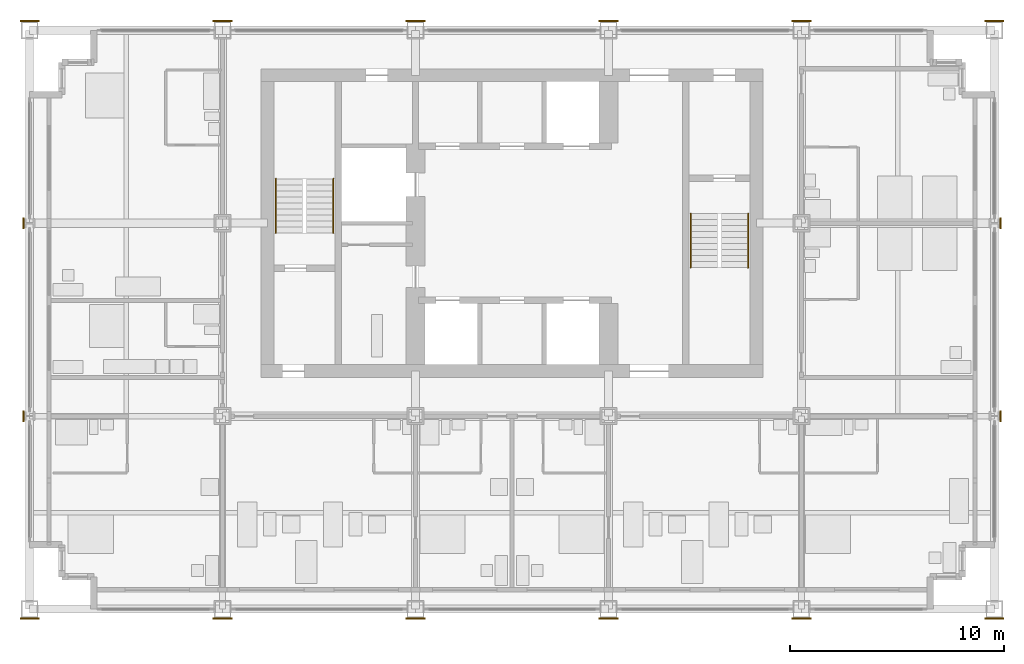
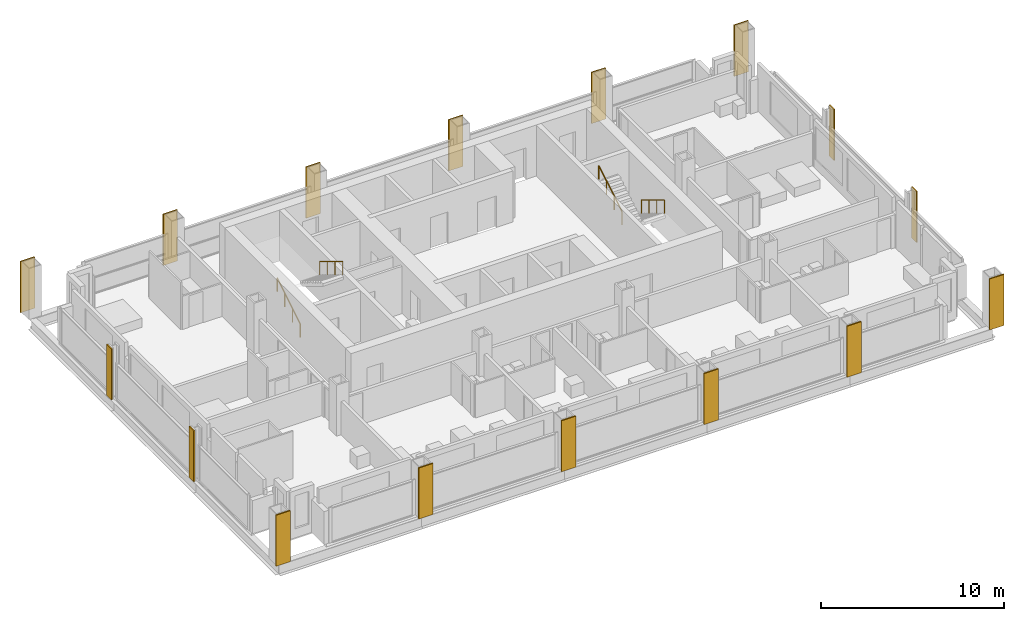
# One storey, part 11 of 13: 16 coverings, 4 railings.
"""IFC4 building model written with IfcOpenShell, lengths in metres."""

from ifc_helpers import new_model, si_unit, direction, frame, origin, origin_2d, place, context, subcontext, project, spatial, rectangle, circle, extrude, material, layer, layer_set, type_object, element, save


model = new_model("IFC4")

# Units and contexts
model_context = context("Model", 3, precision=1e-05, world=origin(), true_north=direction((0.0, 1.0)))
body_context = subcontext(model_context, "Body", "Model", "MODEL_VIEW")
ifc_project = project(units=[si_unit("LENGTHUNIT", "METRE"), si_unit("AREAUNIT", "SQUARE_METRE"), si_unit("VOLUMEUNIT", "CUBIC_METRE"), si_unit("PLANEANGLEUNIT", "RADIAN"), si_unit("MASSUNIT", "GRAM", prefix="KILO")], contexts=[model_context])

# Site, building, storey
site_placement = place(None, origin())
site = spatial("IfcSite", under=ifc_project, at=site_placement, CompositionType="ELEMENT")
building_placement = place(site_placement, origin())
building = spatial("IfcBuilding", under=site, at=building_placement, Name="Loomwork Tower", CompositionType="ELEMENT")
storey_placement = place(building_placement, frame((0.0, 0.0, 218.199951171875)))
storey = spatial("IfcBuildingStorey", under=building, at=storey_placement, Name="L60", CompositionType="ELEMENT", Elevation=218.199951171875)

# Railings
ifc_material_1 = material(Name="Stainless steel handrail", Category="steel")
railing_type = type_object("IfcRailingType", Name="Handrail 900", PredefinedType="HANDRAIL", material=ifc_material_1)
railing_1_placement = place(storey_placement, frame((11.485107421875, 17.550048828125, 0.170166015625)))
element("IfcRailing", 1, at=railing_1_placement, inside=storey, type_object=railing_type, Name="Stair A handrail flight 1 L60", PredefinedType="HANDRAIL", context=body_context, shape_type="SweptSolid", body=[
    extrude(circle(Radius=0.02392578125, at=origin_2d()), frame((0.0, 0.0, 0.8759765625), z_axis=(0.0, 0.854821627497, 0.518921945155), x_axis=(-1.0, 0.0, 0.0)), (0.0, 0.0, 1.0), 2.947998046875),
    extrude(circle(Radius=0.02099609375, at=origin_2d()), origin(), (0.0, 0.0, 1.0), 0.851806640625),
    extrude(circle(Radius=0.02099609375, at=origin_2d()), frame((0.0, 0.840087890625, 0.510009765625)), (0.0, 0.0, 1.0), 0.851806640625),
    extrude(circle(Radius=0.02099609375, at=origin_2d()), frame((0.0, 1.679931640625, 1.019775390625)), (0.0, 0.0, 1.0), 0.851806640625),
    extrude(circle(Radius=0.02099609375, at=origin_2d()), frame((0.0, 2.52001953125, 1.52978515625)), (0.0, 0.0, 1.0), 0.851806640625),
])
railing_2_placement = place(storey_placement, frame((14.1650390625, 20.070068359375, 1.8701171875)))
element("IfcRailing", 2, at=railing_2_placement, inside=storey, type_object=railing_type, Name="Stair A handrail flight 2 L60", PredefinedType="HANDRAIL", context=body_context, shape_type="SweptSolid", body=[
    extrude(circle(Radius=0.02392578125, at=origin_2d()), frame((0.0, 0.0, 0.8759765625), z_axis=(0.0, -0.85478489116, 0.518982456201), x_axis=(1.0, 0.0, 0.0)), (0.0, 0.0, 1.0), 2.9482421875),
    extrude(circle(Radius=0.02099609375, at=origin_2d()), origin(), (0.0, 0.0, 1.0), 0.851806640625),
    extrude(circle(Radius=0.02099609375, at=origin_2d()), frame((0.0, -0.840087890625, 0.510009765625)), (0.0, 0.0, 1.0), 0.851806640625),
    extrude(circle(Radius=0.02099609375, at=origin_2d()), frame((0.0, -1.679931640625, 1.02001953125)), (0.0, 0.0, 1.0), 0.851806640625),
    extrude(circle(Radius=0.02099609375, at=origin_2d()), frame((0.0, -2.52001953125, 1.530029296875)), (0.0, 0.0, 1.0), 0.851806640625),
])
railing_3_placement = place(storey_placement, frame((33.514892578125, 18.449951171875, 0.170166015625)))
element("IfcRailing", 3, at=railing_3_placement, inside=storey, type_object=railing_type, Name="Stair B handrail flight 1 L60", PredefinedType="HANDRAIL", context=body_context, shape_type="SweptSolid", body=[
    extrude(circle(Radius=0.02392578125, at=origin_2d()), frame((0.0, 0.0, 0.8759765625), z_axis=(0.0, -0.854821627497, 0.518921945155), x_axis=(1.0, 0.0, 0.0)), (0.0, 0.0, 1.0), 2.947998046875),
    extrude(circle(Radius=0.02099609375, at=origin_2d()), origin(), (0.0, 0.0, 1.0), 0.851806640625),
    extrude(circle(Radius=0.02099609375, at=origin_2d()), frame((0.0, -0.840087890625, 0.510009765625)), (0.0, 0.0, 1.0), 0.851806640625),
    extrude(circle(Radius=0.02099609375, at=origin_2d()), frame((0.0, -1.679931640625, 1.019775390625)), (0.0, 0.0, 1.0), 0.851806640625),
    extrude(circle(Radius=0.02099609375, at=origin_2d()), frame((0.0, -2.52001953125, 1.52978515625)), (0.0, 0.0, 1.0), 0.851806640625),
])
railing_4_placement = place(storey_placement, frame((30.8349609375, 15.929931640625, 1.8701171875)))
element("IfcRailing", 4, at=railing_4_placement, inside=storey, type_object=railing_type, Name="Stair B handrail flight 2 L60", PredefinedType="HANDRAIL", context=body_context, shape_type="SweptSolid", body=[
    extrude(circle(Radius=0.02392578125, at=origin_2d()), frame((0.0, 0.0, 0.8759765625), z_axis=(0.0, 0.85478489116, 0.518982456201), x_axis=(-1.0, 0.0, 0.0)), (0.0, 0.0, 1.0), 2.9482421875),
    extrude(circle(Radius=0.02099609375, at=origin_2d()), origin(), (0.0, 0.0, 1.0), 0.851806640625),
    extrude(circle(Radius=0.02099609375, at=origin_2d()), frame((0.0, 0.840087890625, 0.510009765625)), (0.0, 0.0, 1.0), 0.851806640625),
    extrude(circle(Radius=0.02099609375, at=origin_2d()), frame((0.0, 1.679931640625, 1.02001953125)), (0.0, 0.0, 1.0), 0.851806640625),
    extrude(circle(Radius=0.02099609375, at=origin_2d()), frame((0.0, 2.52001953125, 1.530029296875)), (0.0, 0.0, 1.0), 0.851806640625),
])

# Coverings
ifc_material_2 = material(Name="Limestone", Category="masonry")
ifc_layer = layer(ifc_material_2, 0.080078125)
ifc_layer_set = layer_set([ifc_layer], Name="Limestone pier facing 80")
covering_type = type_object("IfcCoveringType", Name="Limestone pier facing 80", PredefinedType="CLADDING", material=ifc_layer_set)
covering_1_placement = place(storey_placement, frame((0.0, -0.43994140625, 0.0), z_axis=(0.0, 0.0, 1.0), x_axis=(1.0, 0.0, 0.0)))
element("IfcCovering", 5, at=covering_1_placement, inside=storey, type_object=covering_type, Name="Pier facing D/2 L60", PredefinedType="CLADDING", context=body_context, shape_type="SweptSolid", body=[
    extrude(rectangle(XDim=0.89990234375, YDim=0.080078125, at=origin_2d()), origin(), (0.0, 0.0, 1.0), 3.39990234375),
])
for number, where, z_axis, x_axis, name in (
    (6, (-0.28125, 9.0, 0.0), (0.0, 0.0, 1.0), (1.0, 0.0, 0.0), "Pier facing E/2 L60"),
    (7, (-0.28125, 18.0, 0.0), (0.0, 0.0, 1.0), (1.0, 0.0, 0.0), "Pier facing F/2 L60"),
):
    element("IfcCovering", number, at=place(storey_placement, frame(where, z_axis=z_axis, x_axis=x_axis)), inside=storey, type_object=covering_type, Name=name, PredefinedType="CLADDING", context=body_context, shape_type="SweptSolid", body=[
        extrude(rectangle(XDim=0.080078125, YDim=0.526611328125, at=origin_2d()), origin(), (0.0, 0.0, 1.0), 3.39990234375),
    ])
for number, where, z_axis, x_axis, name in (
    (8, (0.0, 27.43994140625, 0.0), (0.0, 0.0, 1.0), (1.0, 0.0, 0.0), "Pier facing G/2 L60"),
    (9, (9.0, -0.43994140625, 0.0), (0.0, 0.0, 1.0), (1.0, 0.0, 0.0), "Pier facing D/3 L60"),
    (10, (9.0, 27.43994140625, 0.0), (0.0, 0.0, 1.0), (1.0, 0.0, 0.0), "Pier facing G/3 L60"),
    (11, (18.0, -0.43994140625, 0.0), (0.0, 0.0, 1.0), (1.0, 0.0, 0.0), "Pier facing D/4 L60"),
    (12, (18.0, 27.43994140625, 0.0), (0.0, 0.0, 1.0), (1.0, 0.0, 0.0), "Pier facing G/4 L60"),
    (13, (27.0, -0.43994140625, 0.0), (0.0, 0.0, 1.0), (1.0, 0.0, 0.0), "Pier facing D/5 L60"),
    (14, (27.0, 27.43994140625, 0.0), (0.0, 0.0, 1.0), (1.0, 0.0, 0.0), "Pier facing G/5 L60"),
    (15, (36.0, -0.43994140625, 0.0), (0.0, 0.0, 1.0), (1.0, 0.0, 0.0), "Pier facing D/6 L60"),
    (16, (36.0, 27.43994140625, 0.0), (0.0, 0.0, 1.0), (1.0, 0.0, 0.0), "Pier facing G/6 L60"),
    (17, (45.0, -0.43994140625, 0.0), (0.0, 0.0, 1.0), (1.0, 0.0, 0.0), "Pier facing D/7 L60"),
):
    element("IfcCovering", number, at=place(storey_placement, frame(where, z_axis=z_axis, x_axis=x_axis)), inside=storey, type_object=covering_type, Name=name, PredefinedType="CLADDING", context=body_context, shape_type="SweptSolid", body=[
        extrude(rectangle(XDim=0.89990234375, YDim=0.080078125, at=origin_2d()), origin(), (0.0, 0.0, 1.0), 3.39990234375),
    ])
for number, where, z_axis, x_axis, name in (
    (18, (45.28125, 9.0, 0.0), (0.0, 0.0, 1.0), (1.0, 0.0, 0.0), "Pier facing E/7 L60"),
    (19, (45.28125, 18.0, 0.0), (0.0, 0.0, 1.0), (1.0, 0.0, 0.0), "Pier facing F/7 L60"),
):
    element("IfcCovering", number, at=place(storey_placement, frame(where, z_axis=z_axis, x_axis=x_axis)), inside=storey, type_object=covering_type, Name=name, PredefinedType="CLADDING", context=body_context, shape_type="SweptSolid", body=[
        extrude(rectangle(XDim=0.080078125, YDim=0.526611328125, at=origin_2d()), origin(), (0.0, 0.0, 1.0), 3.39990234375),
    ])
covering_2_placement = place(storey_placement, frame((45.0, 27.43994140625, 0.0), z_axis=(0.0, 0.0, 1.0), x_axis=(1.0, 0.0, 0.0)))
element("IfcCovering", 20, at=covering_2_placement, inside=storey, type_object=covering_type, Name="Pier facing G/7 L60", PredefinedType="CLADDING", context=body_context, shape_type="SweptSolid", body=[
    extrude(rectangle(XDim=0.89990234375, YDim=0.080078125, at=origin_2d()), origin(), (0.0, 0.0, 1.0), 3.39990234375),
])

save(model, "model.ifc")
